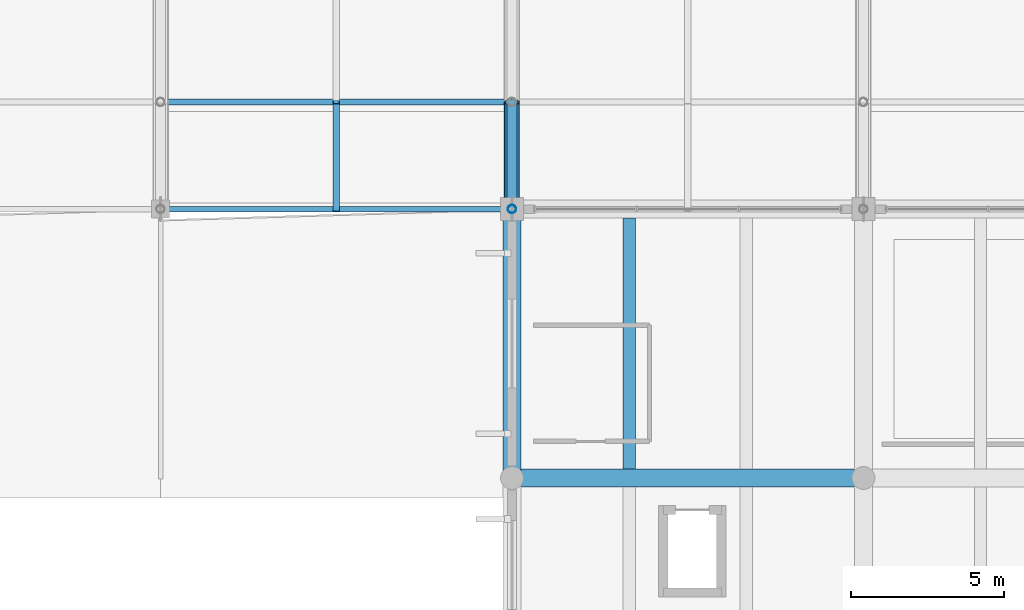
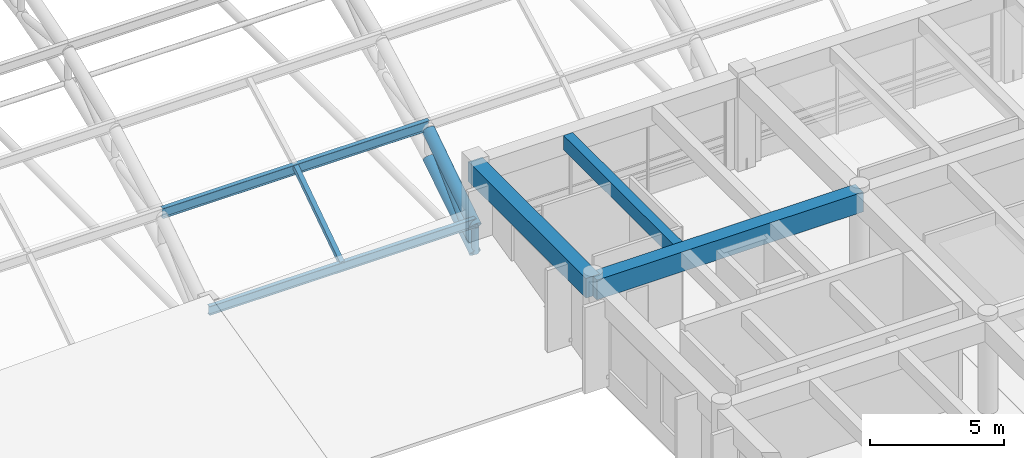
# One storey, part 9 of 154: 7 members, 3 beams.
"""IFC4 building model written with IfcOpenShell, lengths in metres."""

import ifcopenshell
import ifcopenshell.guid

model = None  # the IFC model being written
_history = None  # IfcOwnerHistory: only IFC2X3 demands one
_inside = {}  # id of a spatial element -> (the spatial element, [elements in it])
_under = {}  # id of a project, library or spatial element -> (it, [spatial elements below it])
_declared = {}  # id of a project -> (the project, [libraries it declares])
_typed = {}  # id of a type object -> (the type object, [elements of that type])
_made_of = {}  # id of a material, layer set ... -> (it, [elements and type objects made of it])


def new_model(schema):
    """Start an empty IFC model of exactly this schema.

    Asked for "IFC4X3", IfcOpenShell would pick the latest addendum, in which some entities
    have other attributes; the version numbers below select the first issue.
    IFC2X3 requires an IfcOwnerHistory on every rooted entity: one is made here for all.
    """
    global model, _history
    if schema == "IFC4X3":
        model = ifcopenshell.file(schema_version=(4, 3, 0, 0))
    else:
        model = ifcopenshell.file(schema=schema)
    _inside.clear()
    _under.clear()
    _declared.clear()
    _typed.clear()
    _made_of.clear()
    _history = None
    if model.schema == "IFC2X3":
        org = make("IfcOrganization", Name="unknown")
        user = make(
            "IfcPersonAndOrganization",
            ThePerson=make("IfcPerson", FamilyName="unknown"),
            TheOrganization=org,
        )
        app = make(
            "IfcApplication",
            ApplicationDeveloper=org,
            Version="unknown",
            ApplicationFullName="unknown",
            ApplicationIdentifier="unknown",
        )
        _history = make(
            "IfcOwnerHistory",
            OwningUser=user,
            OwningApplication=app,
            ChangeAction="ADDED",
            CreationDate=0,
        )
    return model


def make(cls, **values):
    """One entity of the class cls with the attributes given. An attribute that is None is left unset."""
    return model.create_entity(
        cls, **{name: value for name, value in values.items() if value is not None}
    )


def rooted(cls, **values):
    """An entity with a GlobalId (a new one), such as an element, a storey or a relation."""
    return make(cls, GlobalId=ifcopenshell.guid.new(), OwnerHistory=_history, **values)


def si_unit(unit_type, name, prefix=None):
    """IfcSIUnit, for example si_unit("LENGTHUNIT", "METRE", prefix="MILLI")."""
    return make("IfcSIUnit", UnitType=unit_type, Prefix=prefix, Name=name)


def assignment(units):
    """IfcUnitAssignment: the units of a project."""
    return None if units is None else make("IfcUnitAssignment", Units=units)


def point(xyz):
    """IfcCartesianPoint."""
    return None if xyz is None else make("IfcCartesianPoint", Coordinates=xyz)


def direction(xyz):
    """IfcDirection."""
    return None if xyz is None else make("IfcDirection", DirectionRatios=xyz)


def frame(location, z_axis=None, x_axis=None):
    """IfcAxis2Placement3D, a coordinate frame: its origin and axes. An axis left out is left unset."""
    return make(
        "IfcAxis2Placement3D",
        Location=point(location),
        Axis=direction(z_axis),
        RefDirection=direction(x_axis),
    )


def frame_2d(location, x_axis=None):
    """IfcAxis2Placement2D, a coordinate frame in the plane: its origin and x axis."""
    return make(
        "IfcAxis2Placement2D", Location=point(location), RefDirection=direction(x_axis)
    )


def origin():
    """The frame at (0, 0, 0) with its axes left unset."""
    return frame((0.0, 0.0, 0.0))


def origin_2d():
    """The frame at (0, 0) in the plane with its x axis left unset."""
    return frame_2d((0.0, 0.0))


def place(relative_to, where):
    """IfcLocalPlacement: puts the frame where relative to a parent placement (None: the world)."""
    return make(
        "IfcLocalPlacement", PlacementRelTo=relative_to, RelativePlacement=where
    )


def context(
    kind, dimensions, precision=None, world=None, true_north=None, identifier=None
):
    """IfcGeometricRepresentationContext, for example the 3D "Model" context."""
    return make(
        "IfcGeometricRepresentationContext",
        ContextIdentifier=identifier,
        ContextType=kind,
        CoordinateSpaceDimension=dimensions,
        Precision=precision,
        WorldCoordinateSystem=world,
        TrueNorth=true_north,
    )


def subcontext(parent, identifier, kind, view, scale=None):
    """IfcGeometricRepresentationSubContext, for example "Body" below "Model"."""
    return make(
        "IfcGeometricRepresentationSubContext",
        ContextIdentifier=identifier,
        ContextType=kind,
        ParentContext=parent,
        TargetScale=scale,
        TargetView=view,
    )


def project(units=None, contexts=None):
    """IfcProject with its units and contexts."""
    return rooted(
        "IfcProject",
        Name="project",
        RepresentationContexts=contexts,
        UnitsInContext=assignment(units),
    )


def spatial(cls, under=None, at=None, **own):
    """A site, building, storey or space (cls), placed at a placement, below another one or the project."""
    s = rooted(cls, ObjectPlacement=at, **own)
    if under is not None:
        _under.setdefault(under.id(), (under, []))[1].append(s)
    return s


def profile(cls, at=None, kind="AREA", **sizes):
    """A parametric profile (cls). Its sizes go by their IFC names, for example OverallWidth=200.0."""
    return make(cls, ProfileType=kind, Position=at, **sizes)


def rectangle(**sizes):
    """IfcRectangleProfileDef."""
    return profile("IfcRectangleProfileDef", **sizes)


def hollow_rectangle(**sizes):
    """IfcRectangleHollowProfileDef."""
    return profile("IfcRectangleHollowProfileDef", **sizes)


def hollow_circle(**sizes):
    """IfcCircleHollowProfileDef."""
    return profile("IfcCircleHollowProfileDef", **sizes)


def i_section(**sizes):
    """IfcIShapeProfileDef."""
    return profile("IfcIShapeProfileDef", **sizes)


def extrude(swept, where, along, depth):
    """IfcExtrudedAreaSolid: the profile swept, set in the frame where, extruded along a direction by depth."""
    return make(
        "IfcExtrudedAreaSolid",
        SweptArea=swept,
        Position=where,
        ExtrudedDirection=direction(along),
        Depth=depth,
    )


def shape(context_of_items, identifier, shape_type, items):
    """IfcShapeRepresentation: the items that make up one representation, for example the "Body"."""
    return make(
        "IfcShapeRepresentation",
        ContextOfItems=context_of_items,
        RepresentationIdentifier=identifier,
        RepresentationType=shape_type,
        Items=items,
    )


def material(Name=None, Category=None):
    """IfcMaterial."""
    return make("IfcMaterial", Name=Name, Category=Category)


def material_profile(
    of_material, cross_section, Name=None, Category=None, Priority=None
):
    """IfcMaterialProfile: a cross section and its material."""
    return make(
        "IfcMaterialProfile",
        Name=Name,
        Material=of_material,
        Profile=cross_section,
        Priority=Priority,
        Category=Category,
    )


def profile_set(profiles, Name=None, composite=None):
    """IfcMaterialProfileSet."""
    return make(
        "IfcMaterialProfileSet",
        Name=Name,
        MaterialProfiles=profiles,
        CompositeProfile=composite,
    )


def made_of(thing, what):
    """Note that an element or type object is made of a material, layer set ...; save() writes the relation."""
    if what is not None:
        _made_of.setdefault(what.id(), (what, []))[1].append(thing)
    return thing


def type_object(cls, material=None, **own):
    """A type object (cls), such as IfcWallType, which elements share."""
    return made_of(rooted(cls, **own), material)


def element(
    cls,
    number,
    at=None,
    inside=None,
    cuts=None,
    type_object=None,
    material=None,
    context=None,
    identifier="Body",
    shape_type=None,
    held_by="IfcProductDefinitionShape",
    body=None,
    shapes=None,
    **own,
):
    """One element of the class cls, such as IfcWall. Its Tag is "e" and its number.

    at: its placement. inside: the storey or other place that contains it. cuts: it is an
    opening in that element (IfcRelVoidsElement). A single representation is given by context,
    identifier, shape_type and body (its items); several are given by shapes. held_by: the class
    of the entity that holds the representations. save() writes the other relations.
    """
    e = rooted(cls, Tag="e%d" % number, ObjectPlacement=at, **own)
    if body is not None:
        shapes = [shape(context, identifier, shape_type, body)]
    if shapes is not None:
        e.Representation = make(held_by, Representations=shapes)
    if inside is not None:
        _inside.setdefault(inside.id(), (inside, []))[1].append(e)
    if cuts is not None:
        rooted(
            "IfcRelVoidsElement", RelatingBuildingElement=cuts, RelatedOpeningElement=e
        )
    if type_object is not None:
        _typed.setdefault(type_object.id(), (type_object, []))[1].append(e)
    return made_of(e, material)


def aggregate(whole, parts):
    """IfcRelAggregates: a whole, such as a stair, and the parts it consists of."""
    return rooted("IfcRelAggregates", RelatingObject=whole, RelatedObjects=parts)


def save(model, path):
    """Write the relations noted so far, then the file.

    IfcRelAggregates (storeys below a building ...), IfcRelContainedInSpatialStructure (elements
    in a storey), IfcRelDefinesByType, IfcRelAssociatesMaterial and IfcRelDeclares: one each for
    every whole, place, type object, material and project.
    """
    for whole, parts in _under.values():
        aggregate(whole, parts)
    for where, things in _inside.values():
        rooted(
            "IfcRelContainedInSpatialStructure",
            RelatedElements=things,
            RelatingStructure=where,
        )
    for kind, things in _typed.values():
        rooted("IfcRelDefinesByType", RelatedObjects=things, RelatingType=kind)
    for what, things in _made_of.values():
        rooted("IfcRelAssociatesMaterial", RelatedObjects=things, RelatingMaterial=what)
    for by, libraries in _declared.values():
        rooted("IfcRelDeclares", RelatingContext=by, RelatedDefinitions=libraries)
    model.write(path)


model = new_model("IFC4")

# Units and contexts
model_context = context("Model", 3, precision=1e-05, world=origin(), true_north=direction((0.0, 1.0)))
body_context = subcontext(model_context, "Body", "Model", "MODEL_VIEW")
ifc_project = project(units=[si_unit("LENGTHUNIT", "METRE"), si_unit("AREAUNIT", "SQUARE_METRE"), si_unit("VOLUMEUNIT", "CUBIC_METRE"), si_unit("PLANEANGLEUNIT", "RADIAN"), si_unit("MASSUNIT", "GRAM", prefix="KILO")], contexts=[model_context])

# Site, building, storey
site_placement = place(None, origin())
site = spatial("IfcSite", under=ifc_project, at=site_placement, CompositionType="ELEMENT")
building_placement = place(site_placement, origin())
building = spatial("IfcBuilding", under=site, at=building_placement, Name="Ologun Quay Terminus", CompositionType="ELEMENT")
storey_placement = place(building_placement, frame((0.0, 0.0, 13.800048828125)))
storey = spatial("IfcBuildingStorey", under=building, at=storey_placement, Name="L03", CompositionType="ELEMENT", Elevation=13.800048828125)

# Members
ifc_material_1 = material(Name="Steel S355", Category="steel")
ifc_material_profile_1 = material_profile(ifc_material_1, hollow_circle(Radius=0.136474609375, WallThickness=0.010009765625, at=origin_2d()), Name="CHS 273x10")
ifc_profile_set_1 = profile_set([ifc_material_profile_1], Name="Steel S355")
member_type_1 = type_object("IfcMemberType", Name="Arch Truss Vertical Post CHS273", PredefinedType="STRUT", material=ifc_profile_set_1)
member_1_placement = place(storey_placement, frame((57.5, 36.0, 0.0), z_axis=(0.0, 0.0, 1.0), x_axis=(1.0, 0.0, 0.0)))
element("IfcMember", 1, at=member_1_placement, inside=storey, type_object=member_type_1, Name="AW2 Arch Web Post 6-N0", PredefinedType="STRUT", context=body_context, shape_type="SweptSolid", body=[
    extrude(hollow_circle(Radius=0.136474609375, WallThickness=0.010009765625, at=origin_2d()), origin(), (0.0, 0.0, 1.0), 1.199951171875),
])
ifc_material_2 = material(Name="Steel S355", Category="steel")
ifc_material_profile_2 = material_profile(ifc_material_2, hollow_circle(Radius=0.161865234375, WallThickness=0.010009765625, at=origin_2d()), Name="CHS 323.9x10")
ifc_profile_set_2 = profile_set([ifc_material_profile_2], Name="Steel S355")
member_type_2 = type_object("IfcMemberType", Name="Arch Truss Web Diagonal CHS323", PredefinedType="BRACE", material=ifc_profile_set_2)
member_2_placement = place(storey_placement, frame((57.5, 36.0, 0.0), z_axis=(0.0, 0.707328773357, 0.706884719301), x_axis=(-1.0, 0.0, 0.0)))
element("IfcMember", 2, at=member_2_placement, inside=storey, type_object=member_type_2, Name="AW1 Arch Web Diagonal 6-P1", PredefinedType="BRACE", context=body_context, shape_type="SweptSolid", body=[
    extrude(hollow_circle(Radius=0.161865234375, WallThickness=0.010009765625, at=origin_2d()), origin(), (0.0, 0.0, 1.0), 4.9482421875),
])
ifc_material_3 = material(Name="Steel S355", Category="steel")
ifc_material_profile_3 = material_profile(ifc_material_3, hollow_circle(Radius=0.228515625, WallThickness=0.01611328125, at=origin_2d()), Name="CHS 457x16")
ifc_profile_set_3 = profile_set([ifc_material_profile_3], Name="Steel S355")
member_type_3 = type_object("IfcMemberType", Name="Parabolic Arch Bottom Chord CHS457", PredefinedType="CHORD", material=ifc_profile_set_3)
member_3_placement = place(storey_placement, frame((57.5, 36.0, 0.0), z_axis=(0.0, 0.845310912611, 0.534274705578), x_axis=(-1.0, 0.0, 0.0)))
element("IfcMember", 3, at=member_3_placement, inside=storey, type_object=member_type_3, Name="AC2 Arch Bottom Chord 6-P1", PredefinedType="CHORD", context=body_context, shape_type="SweptSolid", body=[
    extrude(hollow_circle(Radius=0.228515625, WallThickness=0.01611328125, at=origin_2d()), origin(), (0.0, 0.0, 1.0), 4.140380859375),
])
ifc_material_4 = material(Name="Steel S355", Category="steel")
ifc_material_profile_4 = material_profile(ifc_material_4, hollow_circle(Radius=0.25390625, WallThickness=0.01611328125, at=origin_2d()), Name="CHS 508x16")
ifc_profile_set_4 = profile_set([ifc_material_profile_4], Name="Steel S355")
member_type_4 = type_object("IfcMemberType", Name="Parabolic Arch Top Chord CHS508", PredefinedType="CHORD", material=ifc_profile_set_4)
member_4_placement = place(storey_placement, frame((57.5, 36.0, 1.199951171875), z_axis=(0.0, 0.835940905918, 0.548819461949), x_axis=(-1.0, 0.0, 0.0)))
element("IfcMember", 4, at=member_4_placement, inside=storey, type_object=member_type_4, Name="Arch Top Chord 6-P1", PredefinedType="CHORD", context=body_context, shape_type="SweptSolid", body=[
    extrude(hollow_circle(Radius=0.25390625, WallThickness=0.01611328125, at=origin_2d()), origin(), (0.0, 0.0, 1.0), 4.18701171875),
])
ifc_material_5 = material(Name="Steel S355", Category="steel")
ifc_material_profile_5 = material_profile(ifc_material_5, hollow_rectangle(XDim=0.199951171875, YDim=0.199951171875, WallThickness=0.008056640625, at=origin_2d()), Name="SHS 200x200x8")
ifc_profile_set_5 = profile_set([ifc_material_profile_5], Name="Steel S355")
member_type_5 = type_object("IfcMemberType", Name="Skylight Cross Transom Bar RHS150", PredefinedType="STRUT", material=ifc_profile_set_5)
member_5_placement = place(storey_placement, frame((51.75, 36.0, 1.50341796875), z_axis=(0.0, 0.830398014247, 0.55717065423), x_axis=(-1.0, 0.0, 0.0)))
element("IfcMember", 5, at=member_5_placement, inside=storey, type_object=member_type_5, Name="SK2 Eave Secondary Rafter B5-P1", PredefinedType="STRUT", context=body_context, shape_type="SweptSolid", body=[
    extrude(hollow_rectangle(XDim=0.199951171875, YDim=0.199951171875, WallThickness=0.008056640625, at=origin_2d()), origin(), (0.0, 0.0, 1.0), 4.21484375),
])

# Beams
ifc_material_6 = material(Name="Concrete C40/50", Category="concrete")
ifc_material_profile_6 = material_profile(ifc_material_6, rectangle(XDim=0.60009765625, YDim=0.89990234375, at=origin_2d()), Name="RC 600x900")
ifc_profile_set_6 = profile_set([ifc_material_profile_6], Name="Concrete C40/50")
beam_type_1 = type_object("IfcBeamType", Name="Station Frame Girder 600x900", PredefinedType="BEAM", material=ifc_profile_set_6)
beam_1_placement = place(storey_placement, frame((57.5, 27.199951171875, 3.800048828125), z_axis=(1.0, 0.0, 0.0), x_axis=(0.0, 1.0, 0.0)))
element("IfcBeam", 6, at=beam_1_placement, inside=storey, type_object=beam_type_1, Name="B3 Beam 6/D L03", PredefinedType="BEAM", context=body_context, shape_type="SweptSolid", body=[
    extrude(rectangle(XDim=0.60009765625, YDim=0.89990234375, at=origin_2d()), origin(), (0.0, 0.0, 1.0), 11.5),
])
beam_2_placement = place(storey_placement, frame((57.5, 27.199951171875, 3.800048828125), z_axis=(0.0, 1.0, 0.0), x_axis=(-1.0, 0.0, 0.0)))
element("IfcBeam", 7, at=beam_2_placement, inside=storey, type_object=beam_type_1, Name="B3 Beam 6/D L03", PredefinedType="BEAM", context=body_context, shape_type="SweptSolid", body=[
    extrude(rectangle(XDim=0.60009765625, YDim=0.89990234375, at=origin_2d()), origin(), (0.0, 0.0, 1.0), 8.800048828125),
])
ifc_material_7 = material(Name="Concrete C40/50", Category="concrete")
ifc_material_profile_7 = material_profile(ifc_material_7, rectangle(XDim=0.39990234375, YDim=0.64990234375, at=origin_2d()), Name="RC 400x650")
ifc_profile_set_7 = profile_set([ifc_material_profile_7], Name="Concrete C40/50")
beam_type_2 = type_object("IfcBeamType", Name="Station Secondary Joist 400x650", PredefinedType="JOIST", material=ifc_profile_set_7)
beam_3_placement = place(storey_placement, frame((61.333251953125, 27.5, 3.925048828125), z_axis=(0.0, 1.0, 0.0), x_axis=(-1.0, 0.0, 0.0)))
element("IfcBeam", 8, at=beam_3_placement, inside=storey, type_object=beam_type_2, Name="J1 Beam 6/D L03", PredefinedType="JOIST", context=body_context, shape_type="SweptSolid", body=[
    extrude(rectangle(XDim=0.39990234375, YDim=0.64990234375, at=origin_2d()), origin(), (0.0, 0.0, 1.0), 8.199951171875),
])

# Members
ifc_material_8 = material(Name="Steel S355", Category="steel")
ifc_material_profile_8 = material_profile(ifc_material_8, i_section(OverallWidth=0.177978515625, OverallDepth=0.406494140625, WebThickness=0.0078125, FlangeThickness=0.0126953125, at=origin_2d()), Name="UKB 406x178x60")
ifc_profile_set_8 = profile_set([ifc_material_profile_8], Name="Steel S355")
member_type_6 = type_object("IfcMemberType", Name="Train Shed Eave & Ridge Purlin UKB406", PredefinedType="PURLIN", material=ifc_profile_set_8)
member_6_placement = place(storey_placement, frame((46.0, 36.0, 1.403076171875), z_axis=(1.0, 0.0, 0.0), x_axis=(0.0, 1.0, 0.0)))
element("IfcMember", 9, at=member_6_placement, inside=storey, type_object=member_type_6, Name="PR2 Roof Purlin B5-N0", PredefinedType="PURLIN", context=body_context, shape_type="SweptSolid", body=[
    extrude(i_section(OverallWidth=0.177978515625, OverallDepth=0.406494140625, WebThickness=0.0078125, FlangeThickness=0.0126953125, at=origin_2d()), origin(), (0.0, 0.0, 1.0), 11.5),
])
ifc_material_9 = material(Name="Steel S355", Category="steel")
ifc_material_profile_9 = material_profile(ifc_material_9, i_section(OverallWidth=0.1904296875, OverallDepth=0.45703125, WebThickness=0.009033203125, FlangeThickness=0.014404296875, at=origin_2d()), Name="UKB 457x191x74")
ifc_profile_set_9 = profile_set([ifc_material_profile_9], Name="Steel S355")
member_type_7 = type_object("IfcMemberType", Name="Train Shed Primary Roof Purlin UKB457", PredefinedType="PURLIN", material=ifc_profile_set_9)
member_7_placement = place(storey_placement, frame((46.0, 39.5, 3.726318359375), z_axis=(1.0, 0.0, 0.0), x_axis=(0.0, 1.0, 0.0)))
element("IfcMember", 10, at=member_7_placement, inside=storey, type_object=member_type_7, Name="PR1 Roof Purlin B5-N1", PredefinedType="PURLIN", context=body_context, shape_type="SweptSolid", body=[
    extrude(i_section(OverallWidth=0.1904296875, OverallDepth=0.45703125, WebThickness=0.009033203125, FlangeThickness=0.014404296875, at=origin_2d()), origin(), (0.0, 0.0, 1.0), 11.5),
])

save(model, "model.ifc")
